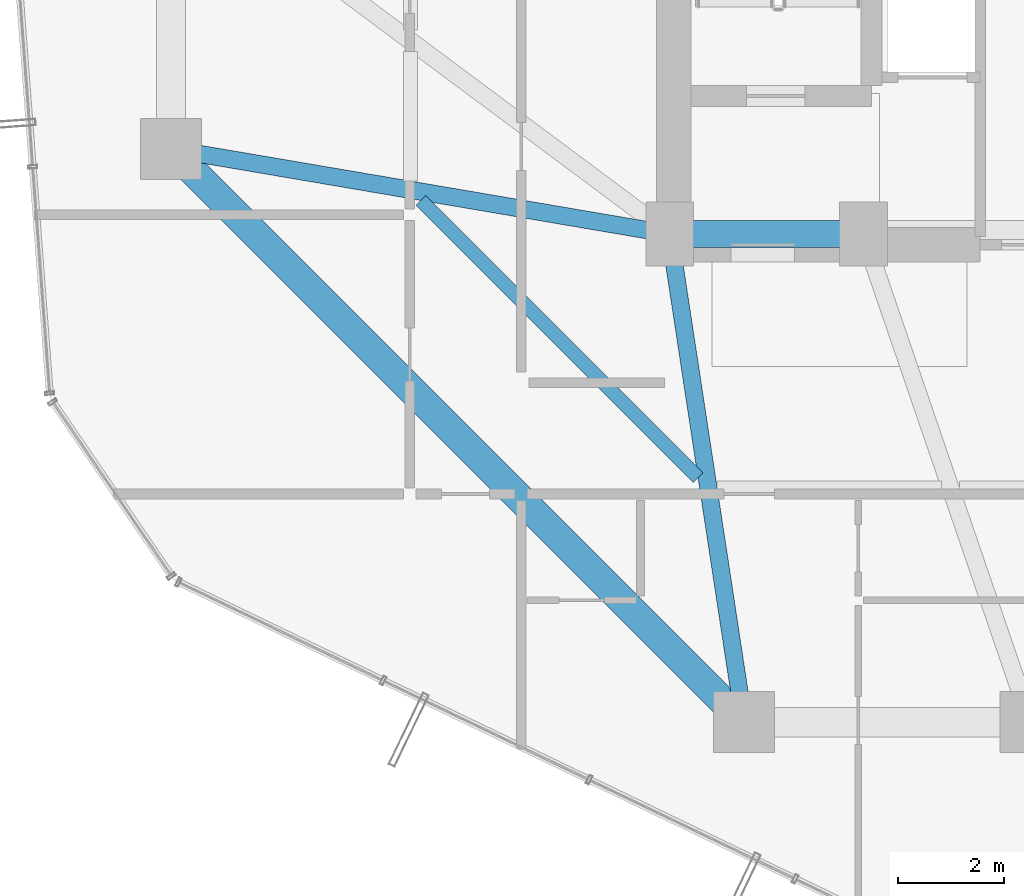
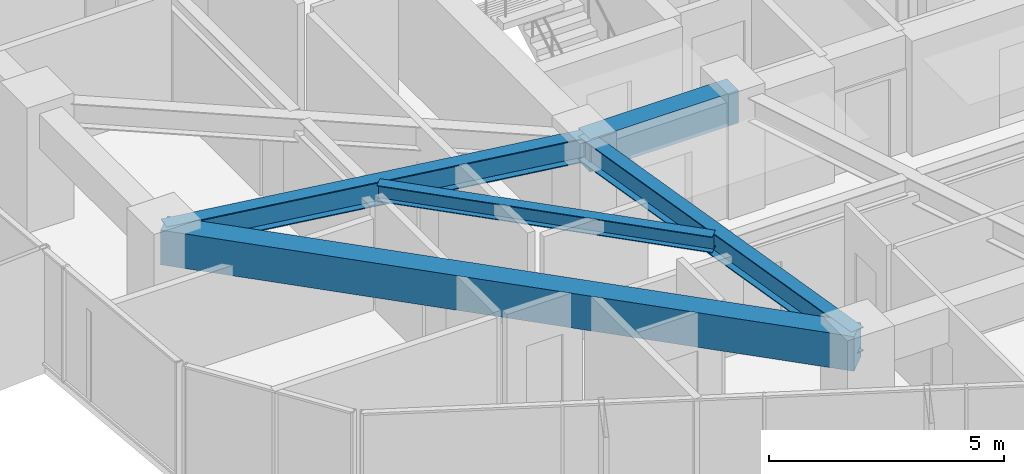
# One storey, part 6 of 35: 5 beams.
"""IFC4 building model written with IfcOpenShell, lengths in metres."""

from ifc_helpers import new_model, si_unit, direction, frame, origin, origin_2d, place, context, subcontext, project, spatial, rectangle, i_section, extrude, material, material_profile, profile_set, type_object, element, save


model = new_model("IFC4")

# Units and contexts
model_context = context("Model", 3, precision=1e-05, world=origin(), true_north=direction((0.0, 1.0)))
body_context = subcontext(model_context, "Body", "Model", "MODEL_VIEW")
ifc_project = project(units=[si_unit("LENGTHUNIT", "METRE"), si_unit("AREAUNIT", "SQUARE_METRE"), si_unit("VOLUMEUNIT", "CUBIC_METRE"), si_unit("PLANEANGLEUNIT", "RADIAN"), si_unit("MASSUNIT", "GRAM", prefix="KILO")], contexts=[model_context])

# Site, building, storey
site_placement = place(None, origin())
site = spatial("IfcSite", under=ifc_project, at=site_placement, CompositionType="ELEMENT")
building_placement = place(site_placement, origin())
building = spatial("IfcBuilding", under=site, at=building_placement, Name="Veraguas Prism Commons", CompositionType="ELEMENT")
storey_placement = place(building_placement, frame((0.0, 0.0, 142.5)))
storey = spatial("IfcBuildingStorey", under=building, at=storey_placement, Name="L40", CompositionType="ELEMENT", Elevation=142.5)

# Beams
ifc_material_1 = material(Name="Concrete C50/60", Category="concrete")
ifc_material_profile_1 = material_profile(ifc_material_1, rectangle(XDim=0.5, YDim=0.85009765625, at=origin_2d()), Name="RC500X850")
ifc_profile_set_1 = profile_set([ifc_material_profile_1], Name="Concrete C50/60")
beam_type_1 = type_object("IfcBeamType", Name="Core Coupling Beam RC 500x850", PredefinedType="BEAM", material=ifc_profile_set_1)
beam_1_placement = place(storey_placement, frame((17.199951171875, 17.0, 2.574951171875), z_axis=(1.0, 0.0, 0.0), x_axis=(0.0, 1.0, 0.0)))
element("IfcBeam", 1, at=beam_1_placement, inside=storey, type_object=beam_type_1, Name="Core Coupling Beam L40-CRS1", PredefinedType="BEAM", context=body_context, shape_type="SweptSolid", body=[
    extrude(rectangle(XDim=0.5, YDim=0.85009765625, at=origin_2d()), origin(), (0.0, 0.0, 1.0), 3.650146484375),
])
ifc_material_2 = material(Name="Steel ASTM A992 Grade 50", Category="steel")
ifc_material_profile_2 = material_profile(ifc_material_2, i_section(OverallWidth=0.260986328125, OverallDepth=0.419921875, WebThickness=0.01171875, FlangeThickness=0.019287109375, at=origin_2d()), Name="W410X114")
ifc_profile_set_2 = profile_set([ifc_material_profile_2], Name="Steel ASTM A992 Grade 50")
beam_type_2 = type_object("IfcBeamType", Name="Lower Floor Joist W410x114", PredefinedType="JOIST", material=ifc_profile_set_2)
beam_2_placement = place(storey_placement, frame((12.510009765625, 17.634033203125, 2.7900390625), z_axis=(0.707090260193, -0.707123301794, 0.0), x_axis=(0.707123301794, 0.707090260193, 0.0)))
element("IfcBeam", 2, at=beam_2_placement, inside=storey, type_object=beam_type_2, Name="Composite Floor Joist L40-JS09", PredefinedType="JOIST", context=body_context, shape_type="SweptSolid", body=[
    extrude(i_section(OverallWidth=0.260986328125, OverallDepth=0.419921875, WebThickness=0.01171875, FlangeThickness=0.019287109375, at=origin_2d()), origin(), (0.0, 0.0, 1.0), 7.388916015625),
])
ifc_material_profile_3 = material_profile(ifc_material_1, rectangle(XDim=0.550048828125, YDim=0.89990234375, at=origin_2d()), Name="RC550X900")
ifc_profile_set_3 = profile_set([ifc_material_profile_3], Name="Concrete C50/60")
beam_type_3 = type_object("IfcBeamType", Name="Perimeter Spandrel Lower RC 550x900", PredefinedType="SPANDREL", material=ifc_profile_set_3)
beam_3_placement = place(storey_placement, frame((7.800048828125, 18.60009765625, 2.550048828125), z_axis=(0.707106781187, -0.707106781187, 0.0), x_axis=(0.707106781187, 0.707106781187, 0.0)))
element("IfcBeam", 3, at=beam_3_placement, inside=storey, type_object=beam_type_3, Name="Perimeter Spandrel Beam L40-SP09", PredefinedType="SPANDREL", context=body_context, shape_type="SweptSolid", body=[
    extrude(rectangle(XDim=0.550048828125, YDim=0.89990234375, at=origin_2d()), origin(), (0.0, 0.0, 1.0), 15.273681640625),
])
ifc_material_profile_4 = material_profile(ifc_material_2, i_section(OverallWidth=0.327880859375, OverallDepth=0.6220703125, WebThickness=0.015380859375, FlangeThickness=0.0244140625, at=origin_2d()), Name="W610X195")
ifc_profile_set_4 = profile_set([ifc_material_profile_4], Name="Steel ASTM A992 Grade 50")
beam_type_4 = type_object("IfcBeamType", Name="Zone 2 Radial Girder W610x195", PredefinedType="BEAM", material=ifc_profile_set_4)
beam_4_placement = place(storey_placement, frame((7.800048828125, 18.60009765625, 2.68896484375), z_axis=(0.985819187151, -0.1678109956, 0.0), x_axis=(0.1678109956, 0.985819187151, 0.0)))
element("IfcBeam", 4, at=beam_4_placement, inside=storey, type_object=beam_type_4, Name="Radial Floor Girder L40-RD09", PredefinedType="BEAM", context=body_context, shape_type="SweptSolid", body=[
    extrude(i_section(OverallWidth=0.327880859375, OverallDepth=0.6220703125, WebThickness=0.015380859375, FlangeThickness=0.0244140625, at=origin_2d()), origin(), (0.0, 0.0, 1.0), 9.53515625),
])
beam_5_placement = place(storey_placement, frame((18.60009765625, 7.800048828125, 2.68896484375), z_axis=(-0.150458162136, 0.98861637729, 0.0), x_axis=(-0.98861637729, -0.150458162136, 0.0)))
element("IfcBeam", 5, at=beam_5_placement, inside=storey, type_object=beam_type_4, Name="Radial Floor Girder L40-RD10", PredefinedType="BEAM", context=body_context, shape_type="SweptSolid", body=[
    extrude(i_section(OverallWidth=0.327880859375, OverallDepth=0.6220703125, WebThickness=0.015380859375, FlangeThickness=0.0244140625, at=origin_2d()), origin(), (0.0, 0.0, 1.0), 9.305908203125),
])

save(model, "model.ifc")
